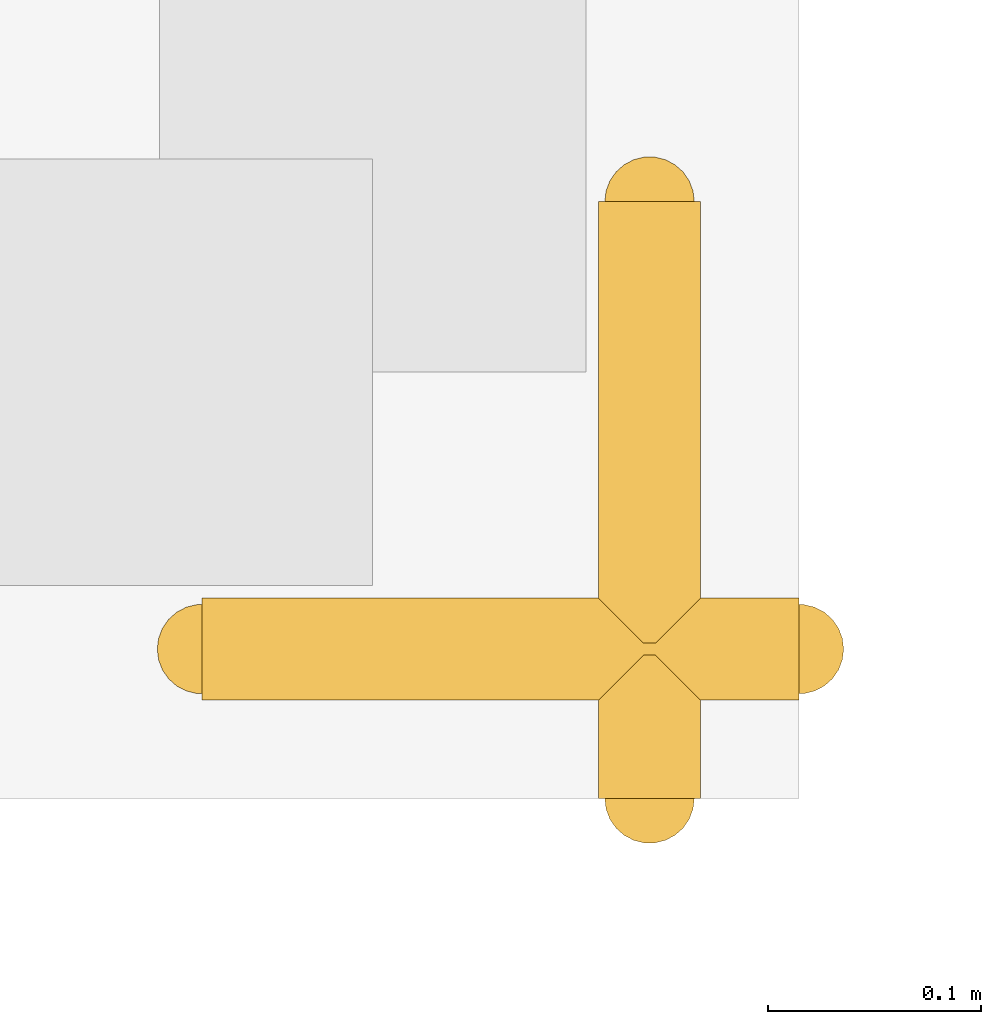
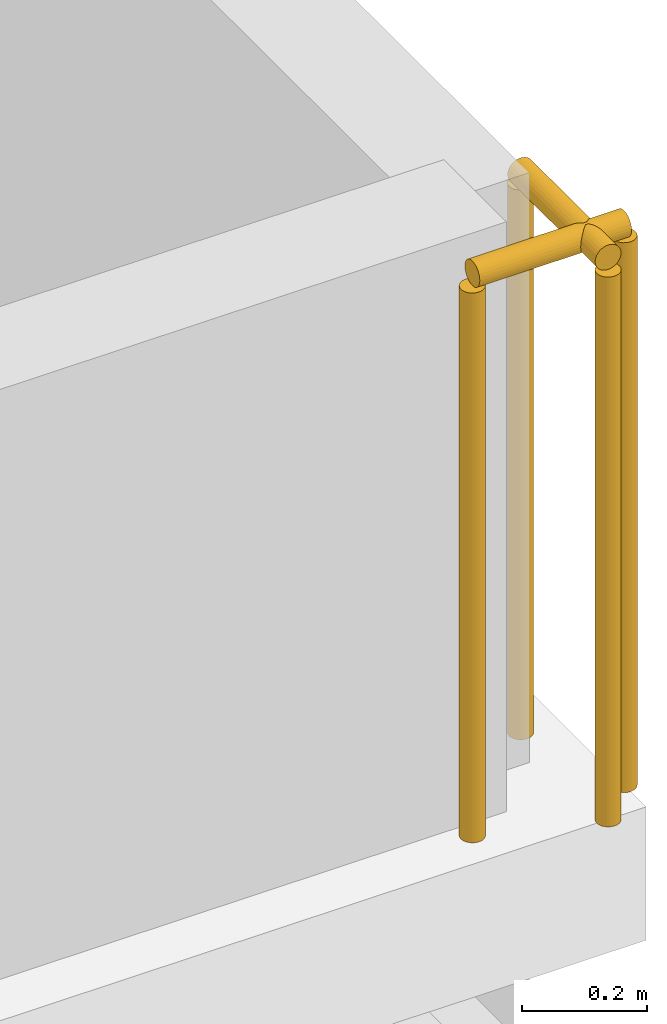
# One storey, part 29 of 32: 2 railings.
"""IFC4 building model written with IfcOpenShell, lengths in metres."""

from ifc_helpers import new_model, si_unit, direction, frame, origin, origin_2d, place, context, subcontext, project, spatial, circle, extrude, material, type_object, element, save


model = new_model("IFC4")

# Units and contexts
model_context = context("Model", 3, precision=1e-05, world=origin(), true_north=direction((0.0, 1.0)))
body_context = subcontext(model_context, "Body", "Model", "MODEL_VIEW")
ifc_project = project(units=[si_unit("LENGTHUNIT", "METRE"), si_unit("AREAUNIT", "SQUARE_METRE"), si_unit("VOLUMEUNIT", "CUBIC_METRE"), si_unit("PLANEANGLEUNIT", "RADIAN"), si_unit("MASSUNIT", "GRAM", prefix="KILO")], contexts=[model_context])

# Site, building, storey
site_placement = place(None, origin())
site = spatial("IfcSite", under=ifc_project, at=site_placement, CompositionType="ELEMENT")
building_placement = place(site_placement, origin())
building = spatial("IfcBuilding", under=site, at=building_placement, Name="Sardonyx Promenade Sports Hall", CompositionType="ELEMENT")
storey_placement = place(building_placement, frame((0.0, 0.0, 20.39990234375)))
storey = spatial("IfcBuildingStorey", under=building, at=storey_placement, Name="L04", CompositionType="ELEMENT", Elevation=20.39990234375)

# Railings
ifc_material = material(Name="Powder-coated Steel S355JR", Category="steel")
railing_type = type_object("IfcRailingType", Name="Rail_Int_Guard_1100", PredefinedType="GUARDRAIL", material=ifc_material)
railing_1_placement = place(storey_placement, frame((107.719970703125, 0.070068359375, 0.0)))
element("IfcRailing", 1, at=railing_1_placement, inside=storey, type_object=railing_type, Name="Deck-edge guardrail GR02 L04 #74", PredefinedType="GUARDRAIL", context=body_context, shape_type="SweptSolid", body=[
    extrude(circle(Radius=0.02392578125, at=origin_2d()), frame((0.0, 0.0, 1.09619140625), z_axis=(1.0, 0.0, 0.0), x_axis=(0.0, 1.0, 0.0)), (0.0, 0.0, 1.0), 0.280029296875),
    extrude(circle(Radius=0.02099609375, at=origin_2d()), origin(), (0.0, 0.0, 1.0), 1.072021484375),
    extrude(circle(Radius=0.02099609375, at=origin_2d()), frame((0.280029296875, 0.0, 0.0)), (0.0, 0.0, 1.0), 1.072021484375),
])
railing_2_placement = place(storey_placement, frame((107.929931640625, 0.0, 0.0)))
element("IfcRailing", 2, at=railing_2_placement, inside=storey, type_object=railing_type, Name="Deck-edge guardrail GR02 L04 #75", PredefinedType="GUARDRAIL", context=body_context, shape_type="SweptSolid", body=[
    extrude(circle(Radius=0.02392578125, at=origin_2d()), frame((0.0, 0.0, 1.09619140625), z_axis=(0.0, 1.0, 0.0), x_axis=(-1.0, 0.0, 0.0)), (0.0, 0.0, 1.0), 0.280029296875),
    extrude(circle(Radius=0.02099609375, at=origin_2d()), origin(), (0.0, 0.0, 1.0), 1.072021484375),
    extrude(circle(Radius=0.02099609375, at=origin_2d()), frame((0.0, 0.280029296875, 0.0)), (0.0, 0.0, 1.0), 1.072021484375),
])

save(model, "model.ifc")
